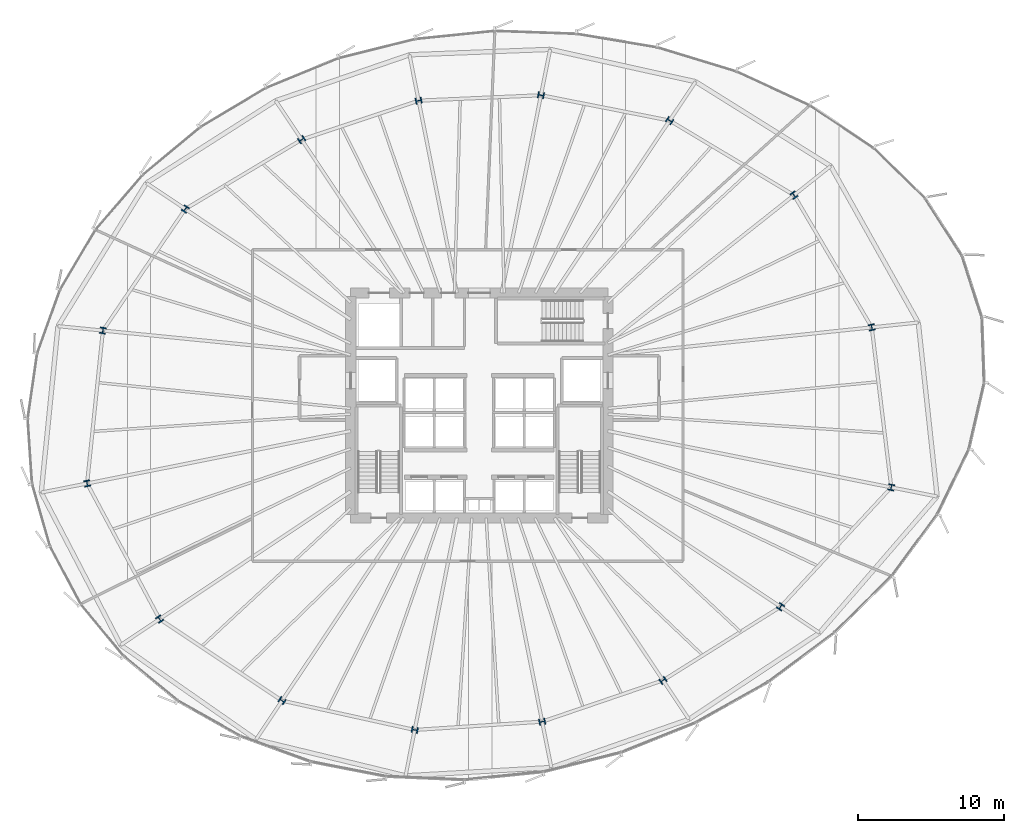
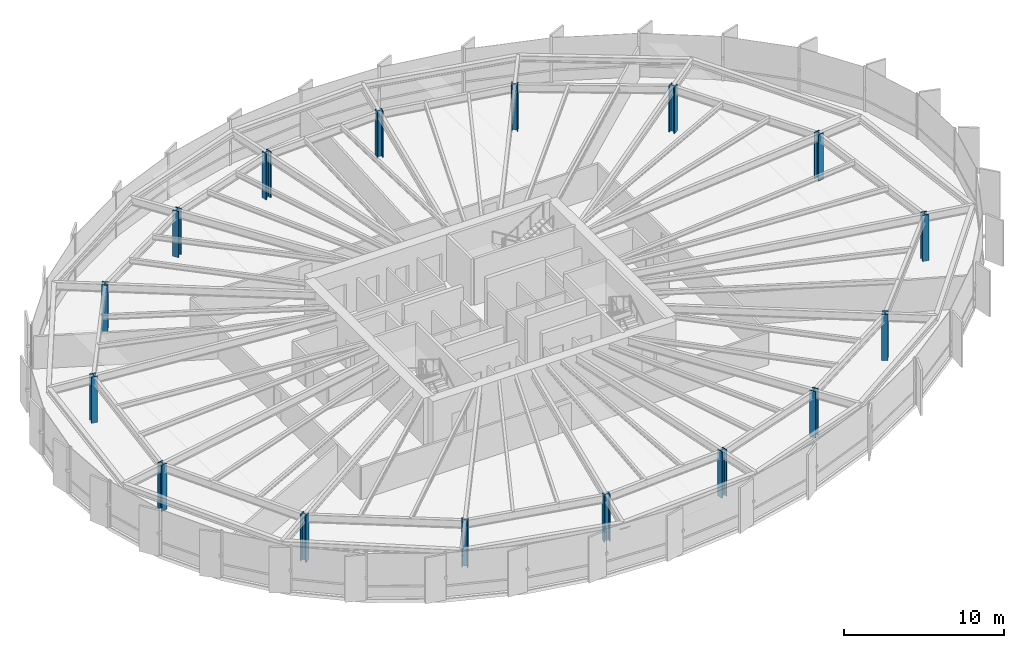
# One storey, part 1 of 35: 16 columns.
"""IFC4 building model written with IfcOpenShell, lengths in metres."""

from ifc_helpers import new_model, si_unit, direction, frame, origin, origin_2d, place, context, subcontext, project, spatial, i_section, extrude, source, transform, mapped, material, material_profile, profile_set, type_object, element, save


model = new_model("IFC4")

# Units and contexts
model_context = context("Model", 3, precision=1e-05, world=origin(), true_north=direction((0.0, 1.0)))
body_context = subcontext(model_context, "Body", "Model", "MODEL_VIEW")
ifc_project = project(units=[si_unit("LENGTHUNIT", "METRE"), si_unit("AREAUNIT", "SQUARE_METRE"), si_unit("VOLUMEUNIT", "CUBIC_METRE"), si_unit("PLANEANGLEUNIT", "RADIAN"), si_unit("MASSUNIT", "GRAM", prefix="KILO"), si_unit("THERMODYNAMICTEMPERATUREUNIT", "KELVIN")], contexts=[model_context])

# Site, building, storey
site_placement = place(None, origin())
site = spatial("IfcSite", under=ifc_project, at=site_placement, CompositionType="ELEMENT")
building_placement = place(site_placement, origin())
building = spatial("IfcBuilding", under=site, at=building_placement, Name="Kethvar Cultural Tower", CompositionType="ELEMENT")
storey_placement = place(building_placement, frame((0.0, 0.0, 71.39990234375)))
storey = spatial("IfcBuildingStorey", under=building, at=storey_placement, Name="L17", CompositionType="ELEMENT", Elevation=71.39990234375)

# Columns
ifc_material = material(Name="Steel S460M", Category="steel")
ifc_material_profile = material_profile(ifc_material, i_section(OverallWidth=0.412109375, OverallDepth=0.430908203125, WebThickness=0.0419921875, FlangeThickness=0.068115234375, FilletRadius=0.014892578125, at=origin_2d()), Name="Steel S460M — HD400x900")
ifc_profile_set = profile_set([ifc_material_profile], Name="Steel S460M — HD400x900")
column_type = type_object("IfcColumnType", Name="COL-HD900", PredefinedType="COLUMN", material=ifc_profile_set)
shared_shape = source(origin(), body_context, "Body", "SweptSolid", [
    extrude(i_section(OverallWidth=0.412109375, OverallDepth=0.430908203125, WebThickness=0.0419921875, FlangeThickness=0.068115234375, FilletRadius=0.014892578125, at=origin_2d()), origin(), (0.0, 0.0, 1.0), 3.5400390625),
])
for number, where, z_axis, x_axis, name in (
    (1, (73.65673828125, 33.14208984375, 0.0), (0.0, 0.0, 1.0), (0.980785280403, 0.195090322016, 0.0), "L17 Mega-Column MC-01"),
    (2, (68.33642578125, 42.190185546875, 0.0), (0.0, 0.0, 1.0), (0.831469612303, 0.55557023302, 0.0), "L17 Mega-Column MC-02"),
    (3, (59.824951171875, 47.293212890625, 0.0), (0.0, 0.0, 1.0), (0.55557023302, 0.831469612303, 0.0), "L17 Mega-Column MC-03"),
    (4, (51.022216796875, 49.02587890625, 0.0), (0.0, 0.0, 1.0), (0.195090322016, 0.980785280403, 0.0), "L17 Mega-Column MC-04"),
    (5, (42.651611328125, 48.65576171875, 0.0), (0.0, 0.0, 1.0), (-0.195090322016, 0.980785280403, 0.0), "L17 Mega-Column MC-05"),
    (6, (34.64599609375, 45.98974609375, 0.0), (0.0, 0.0, 1.0), (-0.55557023302, 0.831469612303, 0.0), "L17 Mega-Column MC-06"),
    (7, (26.6845703125, 41.24072265625, 0.0), (0.0, 0.0, 1.0), (-0.831469612303, 0.55557023302, 0.0), "L17 Mega-Column MC-07"),
    (8, (21.047119140625, 32.922607421875, 0.0), (0.0, 0.0, 1.0), (-0.980785280403, 0.195090322016, 0.0), "L17 Mega-Column MC-08"),
    (9, (19.9658203125, 22.46240234375, 0.0), (0.0, 0.0, 1.0), (-0.980785280403, -0.195090322016, 0.0), "L17 Mega-Column MC-09"),
    (10, (24.9248046875, 13.183349609375, 0.0), (0.0, 0.0, 1.0), (-0.831469612303, -0.55557023302, 0.0), "L17 Mega-Column MC-10"),
    (11, (33.302001953125, 7.598876953125, 0.0), (0.0, 0.0, 1.0), (-0.55557023302, -0.831469612303, 0.0), "L17 Mega-Column MC-11"),
    (12, (42.38330078125, 5.59619140625, 0.0), (0.0, 0.0, 1.0), (-0.195090322016, -0.980785280403, 0.0), "L17 Mega-Column MC-12"),
    (13, (51.10400390625, 6.16259765625, 0.0), (0.0, 0.0, 1.0), (0.195090322016, -0.980785280403, 0.0), "L17 Mega-Column MC-13"),
    (14, (59.370361328125, 8.987060546875, 0.0), (0.0, 0.0, 1.0), (0.55557023302, -0.831469612303, 0.0), "L17 Mega-Column MC-14"),
    (15, (67.41845703125, 14.023193359375, 0.0), (0.0, 0.0, 1.0), (0.831469612303, -0.55557023302, 0.0), "L17 Mega-Column MC-15"),
    (16, (74.9912109375, 22.1923828125, 0.0), (0.0, 0.0, 1.0), (0.980785280403, -0.195090322016, 0.0), "L17 Mega-Column MC-16"),
):
    element("IfcColumn", number, at=place(storey_placement, frame(where, z_axis=z_axis, x_axis=x_axis)), inside=storey, type_object=column_type, Name=name, PredefinedType="COLUMN", context=body_context, shape_type="MappedRepresentation", body=[
        mapped(shared_shape, transform((0.0, 0.0, 0.0), scale=1.0)),
    ])

save(model, "model.ifc")
